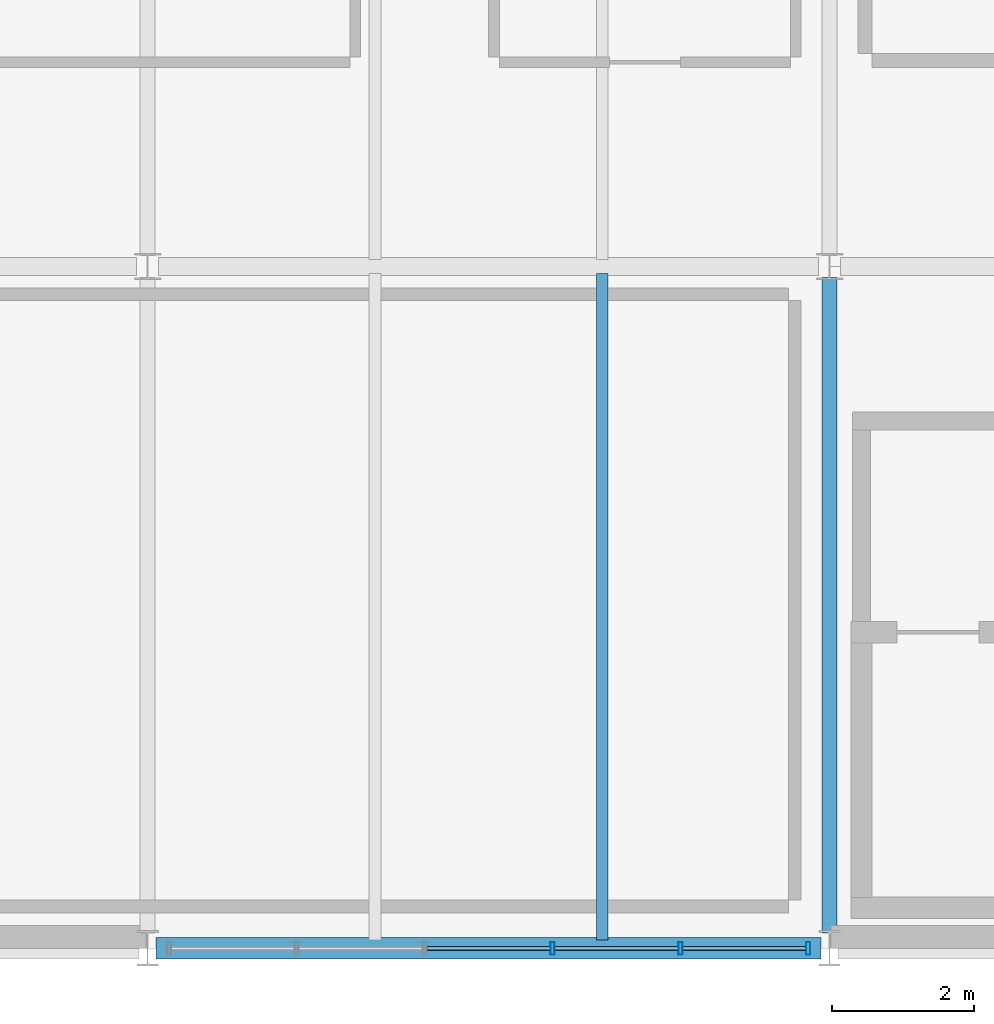
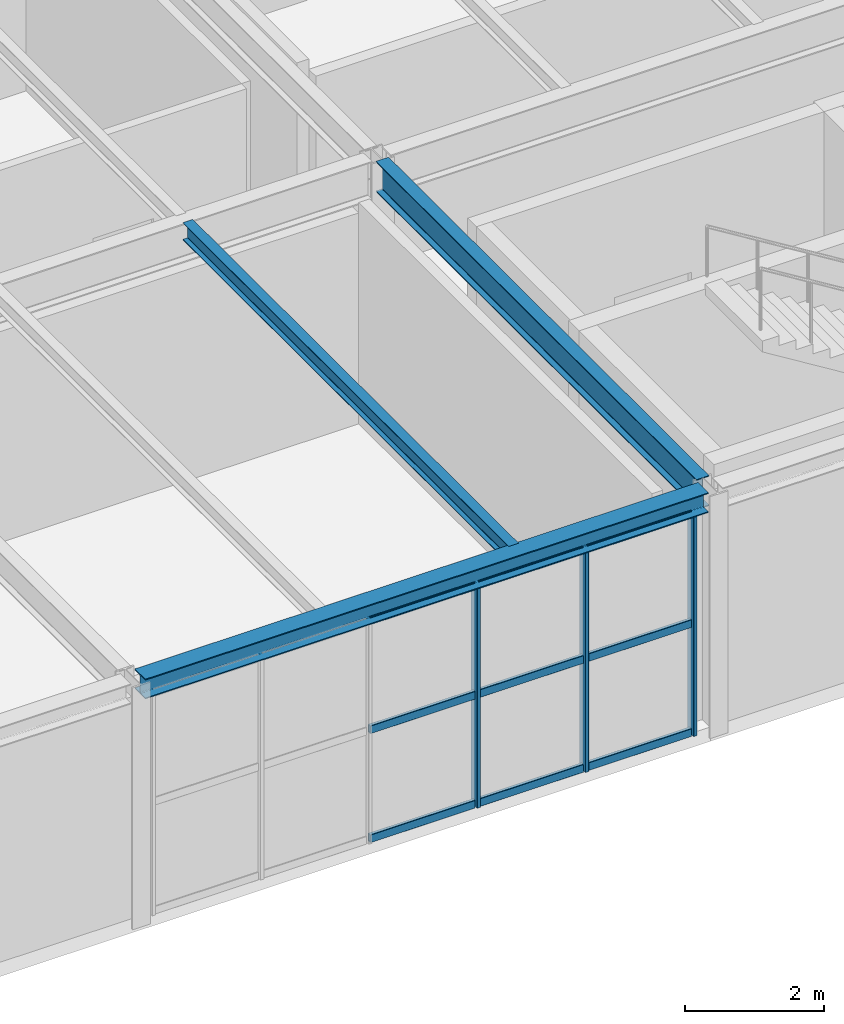
# One storey, part 62 of 170: 12 members, 3 beams, 1 element without a shape of its own.
"""IFC4 building model written with IfcOpenShell, lengths in metres."""

from ifc_helpers import new_model, si_unit, direction, frame, origin, origin_2d, place, context, subcontext, project, spatial, hollow_rectangle, i_section, extrude, material, material_profile, profile_set, type_object, element, aggregate, save


model = new_model("IFC4")

# Units and contexts
model_context = context("Model", 3, precision=1e-05, world=origin(), true_north=direction((0.0, 1.0)))
body_context = subcontext(model_context, "Body", "Model", "MODEL_VIEW")
ifc_project = project(units=[si_unit("LENGTHUNIT", "METRE"), si_unit("AREAUNIT", "SQUARE_METRE"), si_unit("VOLUMEUNIT", "CUBIC_METRE"), si_unit("PLANEANGLEUNIT", "RADIAN"), si_unit("MASSUNIT", "GRAM", prefix="KILO")], contexts=[model_context])

# Site, building, storey
site_placement = place(None, origin())
site = spatial("IfcSite", under=ifc_project, at=site_placement, CompositionType="ELEMENT")
building_placement = place(site_placement, origin())
building = spatial("IfcBuilding", under=site, at=building_placement, Name="Coralgate Yard Interchange", CompositionType="ELEMENT")
storey_placement = place(building_placement, frame((0.0, 0.0, 6.0)))
storey = spatial("IfcBuildingStorey", under=building, at=storey_placement, Name="L01", CompositionType="ELEMENT", Elevation=6.0)

# Beams
ifc_material_1 = material(Name="Structural steel S355J2", Category="steel")
ifc_material_profile_1 = material_profile(ifc_material_1, i_section(OverallWidth=0.209228515625, OverallDepth=0.533203125, WebThickness=0.010009765625, FlangeThickness=0.015625, FilletRadius=0.0126953125, at=origin_2d()), Name="UB 533x210x92")
ifc_profile_set_1 = profile_set([ifc_material_profile_1], Name="Structural steel S355J2")
beam_type_1 = type_object("IfcBeamType", Name="BM-SB-1", PredefinedType="BEAM", material=ifc_profile_set_1)
beam_1_placement = place(storey_placement, frame((76.800048828125, 0.219970703125, 3.9833984375), z_axis=(0.0, 1.0, 0.0), x_axis=(-1.0, 0.0, 0.0)))
element("IfcBeam", 1, at=beam_1_placement, inside=storey, type_object=beam_type_1, Name="L01 primary grid girder X8 Y0-1", PredefinedType="BEAM", context=body_context, shape_type="SweptSolid", body=[
    extrude(i_section(OverallWidth=0.209228515625, OverallDepth=0.533203125, WebThickness=0.010009765625, FlangeThickness=0.015625, FilletRadius=0.0126953125, at=origin_2d()), origin(), (0.0, 0.0, 1.0), 9.225830078125),
])
ifc_material_profile_2 = material_profile(ifc_material_1, i_section(OverallWidth=0.1650390625, OverallDepth=0.303466796875, WebThickness=0.006103515625, FlangeThickness=0.01025390625, FilletRadius=0.0087890625, at=origin_2d()), Name="UB 305x165x40")
ifc_profile_set_2 = profile_set([ifc_material_profile_2], Name="Structural steel S355J2")
beam_type_2 = type_object("IfcBeamType", Name="BM-SJ-1", PredefinedType="JOIST", material=ifc_profile_set_2)
beam_2_placement = place(storey_placement, frame((73.60009765625, 0.1201171875, 4.098388671875), z_axis=(0.0, 1.0, 0.0), x_axis=(-1.0, 0.0, 0.0)))
element("IfcBeam", 2, at=beam_2_placement, inside=storey, type_object=beam_type_2, Name="L01 composite floor joist 7-0-2", PredefinedType="JOIST", context=body_context, shape_type="SweptSolid", body=[
    extrude(i_section(OverallWidth=0.1650390625, OverallDepth=0.303466796875, WebThickness=0.006103515625, FlangeThickness=0.01025390625, FilletRadius=0.0087890625, at=origin_2d()), origin(), (0.0, 0.0, 1.0), 9.383056640625),
])
ifc_material_profile_3 = material_profile(ifc_material_1, i_section(OverallWidth=0.300048828125, OverallDepth=0.35009765625, WebThickness=0.010009765625, FlangeThickness=0.017578125, FilletRadius=0.027099609375, at=origin_2d()), Name="HEA 360")
ifc_profile_set_3 = profile_set([ifc_material_profile_3], Name="Structural steel S355J2")
beam_type_3 = type_object("IfcBeamType", Name="BM-SP-1", PredefinedType="SPANDREL", material=ifc_profile_set_3)
beam_3_placement = place(storey_placement, frame((67.320068359375, 0.0, 4.074951171875), z_axis=(1.0, 0.0, 0.0), x_axis=(0.0, 1.0, 0.0)))
element("IfcBeam", 3, at=beam_3_placement, inside=storey, type_object=beam_type_3, Name="L01 primary grid beam Y0 X7-8", PredefinedType="SPANDREL", context=body_context, shape_type="SweptSolid", body=[
    extrude(i_section(OverallWidth=0.300048828125, OverallDepth=0.35009765625, WebThickness=0.010009765625, FlangeThickness=0.017578125, FilletRadius=0.027099609375, at=origin_2d()), origin(), (0.0, 0.0, 1.0), 9.35986328125),
])

# Curtain wall, members
ifc_material_2 = material(Name="Anodised coastal aluminium and solar-control low-E glass", Category="aluminium")
curtain_wall_type = type_object("IfcCurtainWallType", Name="CW-CW-L01-A", PredefinedType="NOTDEFINED", material=ifc_material_2)
curtain_wall_placement = place(storey_placement, origin())
curtain_wall = element("IfcCurtainWall", 4, at=curtain_wall_placement, inside=storey, type_object=curtain_wall_type, Name="L01 unitised curtain wall CW-L01-S-07-00", PredefinedType="NOTDEFINED")
ifc_material_3 = material(Name="Anodised coastal aluminium 6063-T6", Category="aluminium")
ifc_material_profile_4 = material_profile(ifc_material_3, hollow_rectangle(XDim=0.06005859375, YDim=0.179931640625, WallThickness=0.00390625, InnerFilletRadius=0.00390625, OuterFilletRadius=0.008056640625, at=origin_2d()), Name="ALU 60x180x4")
ifc_profile_set_4 = profile_set([ifc_material_profile_4], Name="Anodised coastal aluminium 6063-T6")
member_type_1 = type_object("IfcMemberType", Name="MB-MUL-180", PredefinedType="MULLION", material=ifc_profile_set_4)
member_1_placement = place(storey_placement, frame((76.5, 0.0, 0.0), z_axis=(0.0, 0.0, 1.0), x_axis=(1.0, 0.0, 0.0)))
member_1 = element("IfcMember", 5, at=member_1_placement, type_object=member_type_1, Name="CW-L01-S-07-00 vertical mullion 1", PredefinedType="MULLION", context=body_context, shape_type="SweptSolid", body=[
    extrude(hollow_rectangle(XDim=0.06005859375, YDim=0.179931640625, WallThickness=0.00390625, InnerFilletRadius=0.00390625, OuterFilletRadius=0.008056640625, at=origin_2d()), origin(), (0.0, 0.0, 1.0), 3.89990234375),
])
member_2_placement = place(storey_placement, frame((74.699951171875, 0.0, 0.0), z_axis=(0.0, 0.0, 1.0), x_axis=(1.0, 0.0, 0.0)))
member_2 = element("IfcMember", 6, at=member_2_placement, type_object=member_type_1, Name="CW-L01-S-07-00 vertical mullion 2", PredefinedType="MULLION", context=body_context, shape_type="SweptSolid", body=[
    extrude(hollow_rectangle(XDim=0.06005859375, YDim=0.179931640625, WallThickness=0.00390625, InnerFilletRadius=0.00390625, OuterFilletRadius=0.008056640625, at=origin_2d()), origin(), (0.0, 0.0, 1.0), 3.89990234375),
])
member_3_placement = place(storey_placement, frame((72.89990234375, 0.0, 0.0), z_axis=(0.0, 0.0, 1.0), x_axis=(1.0, 0.0, 0.0)))
member_3 = element("IfcMember", 7, at=member_3_placement, type_object=member_type_1, Name="CW-L01-S-07-00 vertical mullion 3", PredefinedType="MULLION", context=body_context, shape_type="SweptSolid", body=[
    extrude(hollow_rectangle(XDim=0.06005859375, YDim=0.179931640625, WallThickness=0.00390625, InnerFilletRadius=0.00390625, OuterFilletRadius=0.008056640625, at=origin_2d()), origin(), (0.0, 0.0, 1.0), 3.89990234375),
])
ifc_material_profile_5 = material_profile(ifc_material_3, hollow_rectangle(XDim=0.06005859375, YDim=0.139892578125, WallThickness=0.00341796875, InnerFilletRadius=0.00341796875, OuterFilletRadius=0.007080078125, at=origin_2d()), Name="ALU 60x140x3.5")
ifc_profile_set_5 = profile_set([ifc_material_profile_5], Name="Anodised coastal aluminium 6063-T6")
member_type_2 = type_object("IfcMemberType", Name="MB-TRN-140", PredefinedType="USERDEFINED", material=ifc_profile_set_5)
member_4_placement = place(storey_placement, frame((76.469970703125, 0.0, 0.034912109375), z_axis=(-1.0, 0.0, 0.0), x_axis=(0.0, -1.0, 0.0)))
member_4 = element("IfcMember", 8, at=member_4_placement, type_object=member_type_2, Name="CW-L01-S-07-00 horizontal transom 1-1", ObjectType="TRANSOM", PredefinedType="USERDEFINED", context=body_context, shape_type="SweptSolid", body=[
    extrude(hollow_rectangle(XDim=0.06005859375, YDim=0.139892578125, WallThickness=0.00341796875, InnerFilletRadius=0.00341796875, OuterFilletRadius=0.007080078125, at=origin_2d()), origin(), (0.0, 0.0, 1.0), 1.739990234375),
])
member_5_placement = place(storey_placement, frame((76.469970703125, 0.0, 1.949951171875), z_axis=(-1.0, 0.0, 0.0), x_axis=(0.0, -1.0, 0.0)))
member_5 = element("IfcMember", 9, at=member_5_placement, type_object=member_type_2, Name="CW-L01-S-07-00 horizontal transom 1-2", ObjectType="TRANSOM", PredefinedType="USERDEFINED", context=body_context, shape_type="SweptSolid", body=[
    extrude(hollow_rectangle(XDim=0.06005859375, YDim=0.139892578125, WallThickness=0.00341796875, InnerFilletRadius=0.00341796875, OuterFilletRadius=0.007080078125, at=origin_2d()), origin(), (0.0, 0.0, 1.0), 1.739990234375),
])
member_6_placement = place(storey_placement, frame((76.469970703125, 0.0, 3.864990234375), z_axis=(-1.0, 0.0, 0.0), x_axis=(0.0, -1.0, 0.0)))
member_6 = element("IfcMember", 10, at=member_6_placement, type_object=member_type_2, Name="CW-L01-S-07-00 horizontal transom 1-3", ObjectType="TRANSOM", PredefinedType="USERDEFINED", context=body_context, shape_type="SweptSolid", body=[
    extrude(hollow_rectangle(XDim=0.06005859375, YDim=0.139892578125, WallThickness=0.00341796875, InnerFilletRadius=0.00341796875, OuterFilletRadius=0.007080078125, at=origin_2d()), origin(), (0.0, 0.0, 1.0), 1.739990234375),
])
member_7_placement = place(storey_placement, frame((74.669921875, 0.0, 0.034912109375), z_axis=(-1.0, 0.0, 0.0), x_axis=(0.0, -1.0, 0.0)))
member_7 = element("IfcMember", 11, at=member_7_placement, type_object=member_type_2, Name="CW-L01-S-07-00 horizontal transom 2-1", ObjectType="TRANSOM", PredefinedType="USERDEFINED", context=body_context, shape_type="SweptSolid", body=[
    extrude(hollow_rectangle(XDim=0.06005859375, YDim=0.139892578125, WallThickness=0.00341796875, InnerFilletRadius=0.00341796875, OuterFilletRadius=0.007080078125, at=origin_2d()), origin(), (0.0, 0.0, 1.0), 1.739990234375),
])
member_8_placement = place(storey_placement, frame((74.669921875, 0.0, 1.949951171875), z_axis=(-1.0, 0.0, 0.0), x_axis=(0.0, -1.0, 0.0)))
member_8 = element("IfcMember", 12, at=member_8_placement, type_object=member_type_2, Name="CW-L01-S-07-00 horizontal transom 2-2", ObjectType="TRANSOM", PredefinedType="USERDEFINED", context=body_context, shape_type="SweptSolid", body=[
    extrude(hollow_rectangle(XDim=0.06005859375, YDim=0.139892578125, WallThickness=0.00341796875, InnerFilletRadius=0.00341796875, OuterFilletRadius=0.007080078125, at=origin_2d()), origin(), (0.0, 0.0, 1.0), 1.739990234375),
])
member_9_placement = place(storey_placement, frame((74.669921875, 0.0, 3.864990234375), z_axis=(-1.0, 0.0, 0.0), x_axis=(0.0, -1.0, 0.0)))
member_9 = element("IfcMember", 13, at=member_9_placement, type_object=member_type_2, Name="CW-L01-S-07-00 horizontal transom 2-3", ObjectType="TRANSOM", PredefinedType="USERDEFINED", context=body_context, shape_type="SweptSolid", body=[
    extrude(hollow_rectangle(XDim=0.06005859375, YDim=0.139892578125, WallThickness=0.00341796875, InnerFilletRadius=0.00341796875, OuterFilletRadius=0.007080078125, at=origin_2d()), origin(), (0.0, 0.0, 1.0), 1.739990234375),
])
member_10_placement = place(storey_placement, frame((72.8701171875, 0.0, 0.034912109375), z_axis=(-1.0, 0.0, 0.0), x_axis=(0.0, -1.0, 0.0)))
member_10 = element("IfcMember", 14, at=member_10_placement, type_object=member_type_2, Name="CW-L01-S-07-00 horizontal transom 3-1", ObjectType="TRANSOM", PredefinedType="USERDEFINED", context=body_context, shape_type="SweptSolid", body=[
    extrude(hollow_rectangle(XDim=0.06005859375, YDim=0.139892578125, WallThickness=0.00341796875, InnerFilletRadius=0.00341796875, OuterFilletRadius=0.007080078125, at=origin_2d()), origin(), (0.0, 0.0, 1.0), 1.740234375),
])
member_11_placement = place(storey_placement, frame((72.8701171875, 0.0, 1.949951171875), z_axis=(-1.0, 0.0, 0.0), x_axis=(0.0, -1.0, 0.0)))
member_11 = element("IfcMember", 15, at=member_11_placement, type_object=member_type_2, Name="CW-L01-S-07-00 horizontal transom 3-2", ObjectType="TRANSOM", PredefinedType="USERDEFINED", context=body_context, shape_type="SweptSolid", body=[
    extrude(hollow_rectangle(XDim=0.06005859375, YDim=0.139892578125, WallThickness=0.00341796875, InnerFilletRadius=0.00341796875, OuterFilletRadius=0.007080078125, at=origin_2d()), origin(), (0.0, 0.0, 1.0), 1.740234375),
])
member_12_placement = place(storey_placement, frame((72.8701171875, 0.0, 3.864990234375), z_axis=(-1.0, 0.0, 0.0), x_axis=(0.0, -1.0, 0.0)))
member_12 = element("IfcMember", 16, at=member_12_placement, type_object=member_type_2, Name="CW-L01-S-07-00 horizontal transom 3-3", ObjectType="TRANSOM", PredefinedType="USERDEFINED", context=body_context, shape_type="SweptSolid", body=[
    extrude(hollow_rectangle(XDim=0.06005859375, YDim=0.139892578125, WallThickness=0.00341796875, InnerFilletRadius=0.00341796875, OuterFilletRadius=0.007080078125, at=origin_2d()), origin(), (0.0, 0.0, 1.0), 1.740234375),
])
aggregate(curtain_wall, [member_1, member_2, member_3, member_4, member_5, member_6, member_7, member_8, member_9, member_10, member_11, member_12])

save(model, "model.ifc")
